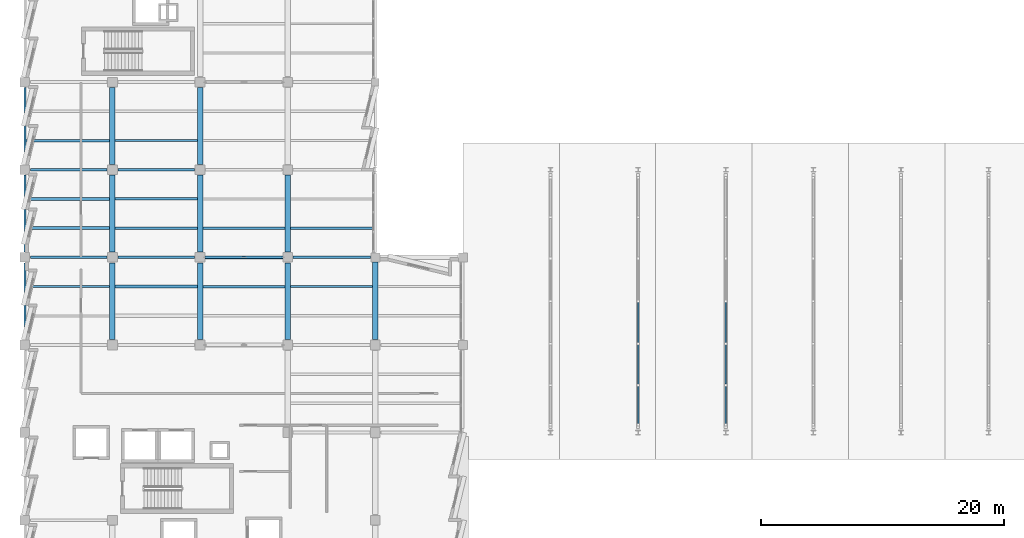
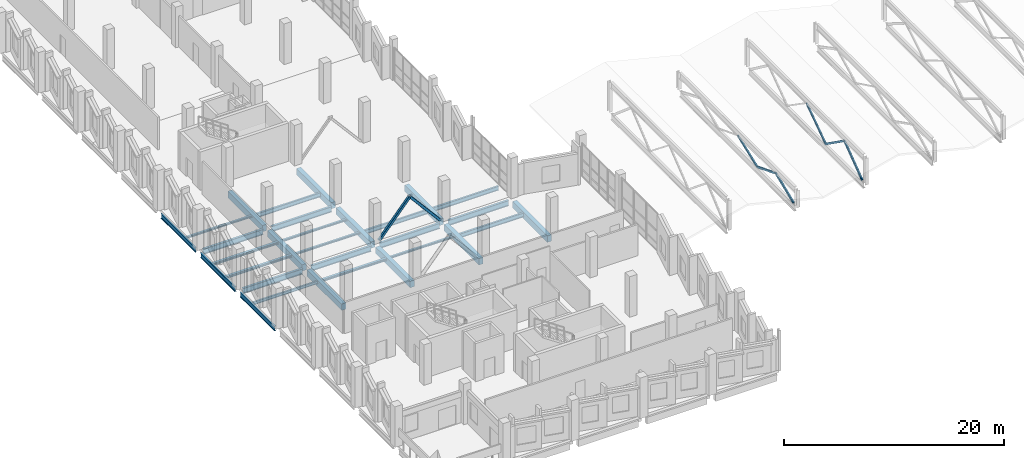
# One storey, part 27 of 123: 30 beams, 8 members.
"""IFC4 building model written with IfcOpenShell, lengths in metres."""

from ifc_helpers import new_model, si_unit, direction, frame, origin, origin_2d, place, context, subcontext, project, spatial, rectangle, hollow_rectangle, i_section, extrude, material, material_profile, profile_set, type_object, element, save


model = new_model("IFC4")

# Units and contexts
model_context = context("Model", 3, precision=1e-05, world=origin(), true_north=direction((0.0, 1.0)))
body_context = subcontext(model_context, "Body", "Model", "MODEL_VIEW")
ifc_project = project(units=[si_unit("LENGTHUNIT", "METRE"), si_unit("AREAUNIT", "SQUARE_METRE"), si_unit("VOLUMEUNIT", "CUBIC_METRE"), si_unit("PLANEANGLEUNIT", "RADIAN"), si_unit("MASSUNIT", "GRAM", prefix="KILO")], contexts=[model_context])

# Site, building, storey
site_placement = place(None, origin())
site = spatial("IfcSite", under=ifc_project, at=site_placement, CompositionType="ELEMENT")
building_placement = place(site_placement, origin())
building = spatial("IfcBuilding", under=site, at=building_placement, Name="Kalmorath City Hall", CompositionType="ELEMENT")
storey_placement = place(building_placement, frame((0.0, 0.0, 10.199951171875)))
storey = spatial("IfcBuildingStorey", under=building, at=storey_placement, Name="L02", CompositionType="ELEMENT", Elevation=10.199951171875)

# Beams
ifc_material_1 = material(Name="Concrete C40/50", Category="concrete")
ifc_material_profile_1 = material_profile(ifc_material_1, rectangle(XDim=0.449951171875, YDim=0.699951171875, at=origin_2d()), Name="RC-BM-450X700")
ifc_profile_set_1 = profile_set([ifc_material_profile_1], Name="Concrete C40/50")
beam_type_1 = type_object("IfcBeamType", Name="Concrete floor beam 450x700", PredefinedType="BEAM", material=ifc_profile_set_1)
for number, where, z_axis, x_axis, name in (
    (1, (7.199951171875, 29.25, -0.634033203125), (0.0, 1.0, 0.0), (-1.0, 0.0, 0.0), "L02 girder CB4 Y2/5-6"),
    (2, (7.199951171875, 36.449951171875, -0.634033203125), (0.0, 1.0, 0.0), (-1.0, 0.0, 0.0), "L02 girder CB4 Y2/6-7"),
    (3, (7.199951171875, 43.64990234375, -0.634033203125), (0.0, 1.0, 0.0), (-1.0, 0.0, 0.0), "L02 girder CB4 Y2/7-8"),
    (4, (14.39990234375, 29.25, -0.634033203125), (0.0, 1.0, 0.0), (-1.0, 0.0, 0.0), "L02 girder CB4 Y3/5-6"),
    (5, (14.39990234375, 36.449951171875, -0.634033203125), (0.0, 1.0, 0.0), (-1.0, 0.0, 0.0), "L02 girder CB4 Y3/6-7"),
    (6, (14.39990234375, 43.64990234375, -0.634033203125), (0.0, 1.0, 0.0), (-1.0, 0.0, 0.0), "L02 girder CB4 Y3/7-8"),
    (7, (21.60009765625, 29.25, -0.634033203125), (0.0, 1.0, 0.0), (-1.0, 0.0, 0.0), "L02 girder CB4 Y4/5-6"),
    (8, (21.60009765625, 36.449951171875, -0.634033203125), (0.0, 1.0, 0.0), (-1.0, 0.0, 0.0), "L02 girder CB4 Y4/6-7"),
):
    element("IfcBeam", number, at=place(storey_placement, frame(where, z_axis=z_axis, x_axis=x_axis)), inside=storey, type_object=beam_type_1, Name=name, PredefinedType="BEAM", context=body_context, shape_type="SweptSolid", body=[
        extrude(rectangle(XDim=0.449951171875, YDim=0.699951171875, at=origin_2d()), origin(), (0.0, 0.0, 1.0), 6.300048828125),
    ])
beam_1_placement = place(storey_placement, frame((28.800048828125, 29.25, -0.634033203125), z_axis=(0.0, 1.0, 0.0), x_axis=(-1.0, 0.0, 0.0)))
element("IfcBeam", 9, at=beam_1_placement, inside=storey, type_object=beam_type_1, Name="L02 girder CB4 Y5/5-6", PredefinedType="BEAM", context=body_context, shape_type="SweptSolid", body=[
    extrude(rectangle(XDim=0.449951171875, YDim=0.699951171875, at=origin_2d()), origin(), (0.0, 0.0, 1.0), 6.35009765625),
])
ifc_material_2 = material(Name="Steel ASTM A992 Grade 50", Category="steel")
ifc_material_profile_2 = material_profile(ifc_material_2, i_section(OverallWidth=0.19091796875, OverallDepth=0.4599609375, WebThickness=0.010009765625, FlangeThickness=0.01611328125, FilletRadius=0.013916015625, at=origin_2d()), Name="W18X55")
ifc_profile_set_2 = profile_set([ifc_material_profile_2], Name="Steel ASTM A992 Grade 50")
beam_type_2 = type_object("IfcBeamType", Name="Steel composite joist W18X55", PredefinedType="JOIST", material=ifc_profile_set_2)
beam_2_placement = place(storey_placement, frame((21.824951171875, 38.39990234375, -0.513916015625), z_axis=(1.0, 0.0, 0.0), x_axis=(0.0, 1.0, 0.0)))
element("IfcBeam", 10, at=beam_2_placement, inside=storey, type_object=beam_type_2, Name="L02 joist SJ2 4.6.1", PredefinedType="JOIST", context=body_context, shape_type="SweptSolid", body=[
    extrude(i_section(OverallWidth=0.19091796875, OverallDepth=0.4599609375, WebThickness=0.010009765625, FlangeThickness=0.01611328125, FilletRadius=0.013916015625, at=origin_2d()), origin(), (0.0, 0.0, 1.0), 6.892578125),
])
ifc_material_3 = material(Name="Steel ASTM A992 Grade 50", Category="steel")
ifc_material_profile_3 = material_profile(ifc_material_3, i_section(OverallWidth=0.193115234375, OverallDepth=0.466064453125, WebThickness=0.011474609375, FlangeThickness=0.01904296875, FilletRadius=0.013916015625, at=origin_2d()), Name="W18X65")
ifc_profile_set_3 = profile_set([ifc_material_profile_3], Name="Steel ASTM A992 Grade 50")
beam_type_3 = type_object("IfcBeamType", Name="Steel composite joist W18X65", PredefinedType="JOIST", material=ifc_profile_set_3)
for number, where, z_axis, x_axis, name in (
    (11, (7.425048828125, 45.60009765625, -0.516845703125), (1.0, 0.0, 0.0), (0.0, 1.0, 0.0), "L02 joist SJ1 2.7.1"),
    (12, (14.625, 38.39990234375, -0.516845703125), (1.0, 0.0, 0.0), (0.0, 1.0, 0.0), "L02 joist SJ1 3.6.1"),
    (13, (21.824951171875, 33.60009765625, -0.516845703125), (1.0, 0.0, 0.0), (0.0, 1.0, 0.0), "L02 joist SJ1 4.5.2"),
):
    element("IfcBeam", number, at=place(storey_placement, frame(where, z_axis=z_axis, x_axis=x_axis)), inside=storey, type_object=beam_type_3, Name=name, PredefinedType="JOIST", context=body_context, shape_type="SweptSolid", body=[
        extrude(i_section(OverallWidth=0.193115234375, OverallDepth=0.466064453125, WebThickness=0.011474609375, FlangeThickness=0.01904296875, FilletRadius=0.013916015625, at=origin_2d()), origin(), (0.0, 0.0, 1.0), 6.75),
    ])
ifc_material_4 = material(Name="Steel ASTM A992 Grade 50", Category="steel")
ifc_material_profile_4 = material_profile(ifc_material_4, i_section(OverallWidth=0.202880859375, OverallDepth=0.202880859375, WebThickness=0.007080078125, FlangeThickness=0.010986328125, FilletRadius=0.010986328125, at=origin_2d()), Name="W8X31")
ifc_profile_set_4 = profile_set([ifc_material_profile_4], Name="Steel ASTM A992 Grade 50")
beam_type_4 = type_object("IfcBeamType", Name="Steel edge trimmer W8X31", PredefinedType="LINTEL", material=ifc_profile_set_4)
beam_3_placement = place(storey_placement, frame((0.08251953125, 45.60009765625, -0.385498046875), z_axis=(1.0, 0.0, 0.0), x_axis=(0.0, 1.0, 0.0)))
element("IfcBeam", 14, at=beam_3_placement, inside=storey, type_object=beam_type_4, Name="L02 joist SJ16 1.7.1", PredefinedType="LINTEL", context=body_context, shape_type="SweptSolid", body=[
    extrude(i_section(OverallWidth=0.202880859375, OverallDepth=0.202880859375, WebThickness=0.007080078125, FlangeThickness=0.010986328125, FilletRadius=0.010986328125, at=origin_2d()), origin(), (0.0, 0.0, 1.0), 6.892578125),
])
for number, where, z_axis, x_axis, name in (
    (15, (7.425048828125, 38.39990234375, -0.385498046875), (1.0, 0.0, 0.0), (0.0, 1.0, 0.0), "L02 joist SJ16 2.6.1"),
    (16, (7.425048828125, 40.800048828125, -0.385498046875), (1.0, 0.0, 0.0), (0.0, 1.0, 0.0), "L02 joist SJ16 2.6.2"),
    (17, (14.625, 33.60009765625, -0.385498046875), (1.0, 0.0, 0.0), (0.0, 1.0, 0.0), "L02 joist SJ16 3.5.2"),
):
    element("IfcBeam", number, at=place(storey_placement, frame(where, z_axis=z_axis, x_axis=x_axis)), inside=storey, type_object=beam_type_4, Name=name, PredefinedType="LINTEL", context=body_context, shape_type="SweptSolid", body=[
        extrude(i_section(OverallWidth=0.202880859375, OverallDepth=0.202880859375, WebThickness=0.007080078125, FlangeThickness=0.010986328125, FilletRadius=0.010986328125, at=origin_2d()), origin(), (0.0, 0.0, 1.0), 6.75),
    ])
ifc_material_5 = material(Name="Steel ASTM A992 Grade 50", Category="steel")
ifc_material_profile_5 = material_profile(ifc_material_5, i_section(OverallWidth=0.22900390625, OverallDepth=0.612060546875, WebThickness=0.011962890625, FlangeThickness=0.01953125, FilletRadius=0.01611328125, at=origin_2d()), Name="W24X84")
ifc_profile_set_5 = profile_set([ifc_material_profile_5], Name="Steel ASTM A992 Grade 50")
beam_type_5 = type_object("IfcBeamType", Name="Steel floor girder W24X84", PredefinedType="BEAM", material=ifc_profile_set_5)
for number, where, z_axis, x_axis, name in (
    (18, (0.449951171875, 36.0, -0.58984375), (1.0, 0.0, 0.0), (0.0, 1.0, 0.0), "L02 girder SG8 X1-2/6"),
    (19, (7.64990234375, 36.0, -0.58984375), (1.0, 0.0, 0.0), (0.0, 1.0, 0.0), "L02 girder SG8 X2-3/6"),
):
    element("IfcBeam", number, at=place(storey_placement, frame(where, z_axis=z_axis, x_axis=x_axis)), inside=storey, type_object=beam_type_5, Name=name, PredefinedType="BEAM", context=body_context, shape_type="SweptSolid", body=[
        extrude(i_section(OverallWidth=0.22900390625, OverallDepth=0.612060546875, WebThickness=0.011962890625, FlangeThickness=0.01953125, FilletRadius=0.01611328125, at=origin_2d()), origin(), (0.0, 0.0, 1.0), 6.300048828125),
    ])
beam_4_placement = place(storey_placement, frame((14.85009765625, 36.0, -0.58984375), z_axis=(1.0, 0.0, 0.0), x_axis=(0.0, 1.0, 0.0)))
element("IfcBeam", 20, at=beam_4_placement, inside=storey, type_object=beam_type_5, Name="L02 girder SG8 X3-4/6", PredefinedType="BEAM", context=body_context, shape_type="SweptSolid", body=[
    extrude(i_section(OverallWidth=0.22900390625, OverallDepth=0.612060546875, WebThickness=0.011962890625, FlangeThickness=0.01953125, FilletRadius=0.01611328125, at=origin_2d()), origin(), (0.0, 0.0, 1.0), 6.2998046875),
])
beam_5_placement = place(storey_placement, frame((22.050048828125, 36.0, -0.58984375), z_axis=(1.0, 0.0, 0.0), x_axis=(0.0, 1.0, 0.0)))
element("IfcBeam", 21, at=beam_5_placement, inside=storey, type_object=beam_type_5, Name="L02 girder SG8 X4-5/6", PredefinedType="BEAM", context=body_context, shape_type="SweptSolid", body=[
    extrude(i_section(OverallWidth=0.22900390625, OverallDepth=0.612060546875, WebThickness=0.011962890625, FlangeThickness=0.01953125, FilletRadius=0.01611328125, at=origin_2d()), origin(), (0.0, 0.0, 1.0), 6.349853515625),
])
for number, where, z_axis, x_axis, name in (
    (22, (0.449951171875, 43.199951171875, -0.58984375), (1.0, 0.0, 0.0), (0.0, 1.0, 0.0), "L02 girder SG8 X1-2/7"),
    (23, (7.64990234375, 43.199951171875, -0.58984375), (1.0, 0.0, 0.0), (0.0, 1.0, 0.0), "L02 girder SG8 X2-3/7"),
):
    element("IfcBeam", number, at=place(storey_placement, frame(where, z_axis=z_axis, x_axis=x_axis)), inside=storey, type_object=beam_type_5, Name=name, PredefinedType="BEAM", context=body_context, shape_type="SweptSolid", body=[
        extrude(i_section(OverallWidth=0.22900390625, OverallDepth=0.612060546875, WebThickness=0.011962890625, FlangeThickness=0.01953125, FilletRadius=0.01611328125, at=origin_2d()), origin(), (0.0, 0.0, 1.0), 6.300048828125),
    ])
ifc_material_6 = material(Name="Steel ASTM A992 Grade 50", Category="steel")
ifc_material_profile_6 = material_profile(ifc_material_6, i_section(OverallWidth=0.1669921875, OverallDepth=0.318115234375, WebThickness=0.007568359375, FlangeThickness=0.01318359375, FilletRadius=0.012939453125, at=origin_2d()), Name="W12X35")
ifc_profile_set_6 = profile_set([ifc_material_profile_6], Name="Steel ASTM A992 Grade 50")
beam_type_6 = type_object("IfcBeamType", Name="Steel header lintel W12X35", PredefinedType="LINTEL", material=ifc_profile_set_6)
beam_6_placement = place(storey_placement, frame((0.08251953125, 33.60009765625, -0.44287109375), z_axis=(1.0, 0.0, 0.0), x_axis=(0.0, 1.0, 0.0)))
element("IfcBeam", 24, at=beam_6_placement, inside=storey, type_object=beam_type_6, Name="L02 joist SJ13 1.5.2", PredefinedType="LINTEL", context=body_context, shape_type="SweptSolid", body=[
    extrude(i_section(OverallWidth=0.1669921875, OverallDepth=0.318115234375, WebThickness=0.007568359375, FlangeThickness=0.01318359375, FilletRadius=0.012939453125, at=origin_2d()), origin(), (0.0, 0.0, 1.0), 6.892578125),
])

# Members
ifc_material_7 = material(Name="Steel ASTM A500 Grade C", Category="steel")
ifc_material_profile_7 = material_profile(ifc_material_7, hollow_rectangle(XDim=0.25390625, YDim=0.25390625, WallThickness=0.01171875, InnerFilletRadius=0.01171875, OuterFilletRadius=0.023681640625, at=origin_2d()), Name="HSS254X254X12.7")
ifc_profile_set_7 = profile_set([ifc_material_profile_7], Name="Steel ASTM A500 Grade C")
member_type_1 = type_object("IfcMemberType", Name="Steel seismic chevron brace HSS254X254X12.7", PredefinedType="BRACE", material=ifc_profile_set_7)
for number, where, z_axis, x_axis, name in (
    (25, (14.800048828125, 36.0, 0.0), (0.650117130279, 0.0, 0.75983400616), (0.0, 1.0, 0.0), "L02 chevron brace BR1 2A"),
    (26, (21.199951171875, 36.0, 0.0), (-0.650117130279, 0.0, 0.75983400616), (0.0, -1.0, 0.0), "L02 chevron brace BR1 2B"),
):
    element("IfcMember", number, at=place(storey_placement, frame(where, z_axis=z_axis, x_axis=x_axis)), inside=storey, type_object=member_type_1, Name=name, PredefinedType="BRACE", context=body_context, shape_type="SweptSolid", body=[
        extrude(hollow_rectangle(XDim=0.25390625, YDim=0.25390625, WallThickness=0.01171875, InnerFilletRadius=0.01171875, OuterFilletRadius=0.023681640625, at=origin_2d()), origin(), (0.0, 0.0, 1.0), 4.922119140625),
    ])

# Beams
ifc_material_8 = material(Name="Steel ASTM A992 Grade 50", Category="steel")
ifc_material_profile_8 = material_profile(ifc_material_8, i_section(OverallWidth=0.1650390625, OverallDepth=0.52490234375, WebThickness=0.0087890625, FlangeThickness=0.011474609375, FilletRadius=0.014892578125, at=origin_2d()), Name="W21X44")
ifc_profile_set_8 = profile_set([ifc_material_profile_8], Name="Steel ASTM A992 Grade 50")
beam_type_7 = type_object("IfcBeamType", Name="Steel spandrel beam W21X44", PredefinedType="SPANDREL", material=ifc_profile_set_8)
for number, where, z_axis, x_axis, name in (
    (27, (0.0, 29.25, -0.54638671875), (0.0, 1.0, 0.0), (-1.0, 0.0, 0.0), "L02 girder SB4 Y1/5-6"),
    (28, (0.0, 36.449951171875, -0.54638671875), (0.0, 1.0, 0.0), (-1.0, 0.0, 0.0), "L02 girder SB4 Y1/6-7"),
    (29, (0.0, 43.64990234375, -0.54638671875), (0.0, 1.0, 0.0), (-1.0, 0.0, 0.0), "L02 girder SB4 Y1/7-8"),
):
    element("IfcBeam", number, at=place(storey_placement, frame(where, z_axis=z_axis, x_axis=x_axis)), inside=storey, type_object=beam_type_7, Name=name, PredefinedType="SPANDREL", context=body_context, shape_type="SweptSolid", body=[
        extrude(i_section(OverallWidth=0.1650390625, OverallDepth=0.52490234375, WebThickness=0.0087890625, FlangeThickness=0.011474609375, FilletRadius=0.014892578125, at=origin_2d()), origin(), (0.0, 0.0, 1.0), 6.300048828125),
    ])
ifc_material_9 = material(Name="Steel ASTM A992 Grade 50", Category="steel")
ifc_material_profile_9 = material_profile(ifc_material_9, i_section(OverallWidth=0.25390625, OverallDepth=0.2529296875, WebThickness=0.008544921875, FlangeThickness=0.01416015625, FilletRadius=0.011962890625, at=origin_2d()), Name="W10X49")
ifc_profile_set_9 = profile_set([ifc_material_profile_9], Name="Steel ASTM A992 Grade 50")
beam_type_8 = type_object("IfcBeamType", Name="Steel trimmer beam W10X49", PredefinedType="BEAM", material=ifc_profile_set_9)
for number, where, z_axis, x_axis, name in (
    (30, (0.08251953125, 38.39990234375, -0.410400390625), (1.0, 0.0, 0.0), (0.0, 1.0, 0.0), "L02 joist SJ14 1.6.1"),
    (31, (0.08251953125, 40.800048828125, -0.410400390625), (1.0, 0.0, 0.0), (0.0, 1.0, 0.0), "L02 joist SJ14 1.6.2"),
):
    element("IfcBeam", number, at=place(storey_placement, frame(where, z_axis=z_axis, x_axis=x_axis)), inside=storey, type_object=beam_type_8, Name=name, PredefinedType="BEAM", context=body_context, shape_type="SweptSolid", body=[
        extrude(i_section(OverallWidth=0.25390625, OverallDepth=0.2529296875, WebThickness=0.008544921875, FlangeThickness=0.01416015625, FilletRadius=0.011962890625, at=origin_2d()), origin(), (0.0, 0.0, 1.0), 6.892578125),
    ])
beam_7_placement = place(storey_placement, frame((7.425048828125, 33.60009765625, -0.410400390625), z_axis=(1.0, 0.0, 0.0), x_axis=(0.0, 1.0, 0.0)))
element("IfcBeam", 32, at=beam_7_placement, inside=storey, type_object=beam_type_8, Name="L02 joist SJ14 2.5.2", PredefinedType="BEAM", context=body_context, shape_type="SweptSolid", body=[
    extrude(i_section(OverallWidth=0.25390625, OverallDepth=0.2529296875, WebThickness=0.008544921875, FlangeThickness=0.01416015625, FilletRadius=0.011962890625, at=origin_2d()), origin(), (0.0, 0.0, 1.0), 6.75),
])

# Members
ifc_material_10 = material(Name="Steel ASTM A500 Grade C", Category="steel")
ifc_material_profile_10 = material_profile(ifc_material_10, hollow_rectangle(XDim=0.152099609375, YDim=0.25390625, WallThickness=0.0087890625, InnerFilletRadius=0.0087890625, OuterFilletRadius=0.017822265625, at=origin_2d()), Name="HSS254X152X9.5")
ifc_profile_set_10 = profile_set([ifc_material_profile_10], Name="Steel ASTM A500 Grade C")
member_type_2 = type_object("IfcMemberType", Name="Steel truss web chord HSS254X152X9.5", PredefinedType="CHORD", material=ifc_profile_set_10)
member_1_placement = place(storey_placement, frame((50.39990234375, 22.25, -0.008056640625), z_axis=(0.0, 0.924394532678, 0.381437737981), x_axis=(-1.0, 0.0, 0.0)))
element("IfcMember", 33, at=member_1_placement, inside=storey, type_object=member_type_2, Name="Public Hall truss web CH1-2.1", PredefinedType="CHORD", context=body_context, shape_type="SweptSolid", body=[
    extrude(hollow_rectangle(XDim=0.152099609375, YDim=0.25390625, WallThickness=0.0087890625, InnerFilletRadius=0.0087890625, OuterFilletRadius=0.017822265625, at=origin_2d()), origin(), (0.0, 0.0, 1.0), 3.515869140625),
])
member_2_placement = place(storey_placement, frame((57.60009765625, 22.25, -0.008056640625), z_axis=(0.0, 0.801933192213, 0.597413721994), x_axis=(-1.0, 0.0, 0.0)))
element("IfcMember", 34, at=member_2_placement, inside=storey, type_object=member_type_2, Name="Public Hall truss web CH1-3.1", PredefinedType="CHORD", context=body_context, shape_type="SweptSolid", body=[
    extrude(hollow_rectangle(XDim=0.152099609375, YDim=0.25390625, WallThickness=0.0087890625, InnerFilletRadius=0.0087890625, OuterFilletRadius=0.017822265625, at=origin_2d()), origin(), (0.0, 0.0, 1.0), 4.052734375),
])
ifc_material_11 = material(Name="Steel ASTM A500 Grade C", Category="steel")
ifc_material_profile_11 = material_profile(ifc_material_11, hollow_rectangle(XDim=0.152099609375, YDim=0.202880859375, WallThickness=0.0087890625, InnerFilletRadius=0.0087890625, OuterFilletRadius=0.017822265625, at=origin_2d()), Name="HSS203X152X9.5")
ifc_profile_set_11 = profile_set([ifc_material_profile_11], Name="Steel ASTM A500 Grade C")
member_type_3 = type_object("IfcMemberType", Name="Steel truss web diagonal HSS203X152X9.5", PredefinedType="CHORD", material=ifc_profile_set_11)
member_3_placement = place(storey_placement, frame((50.39990234375, 25.5, 1.3330078125), z_axis=(0.0, 0.930248846352, -0.366929262747), x_axis=(-1.0, 0.0, 0.0)))
element("IfcMember", 35, at=member_3_placement, inside=storey, type_object=member_type_3, Name="Public Hall truss web CH2-2.2", PredefinedType="CHORD", context=body_context, shape_type="SweptSolid", body=[
    extrude(hollow_rectangle(XDim=0.152099609375, YDim=0.202880859375, WallThickness=0.0087890625, InnerFilletRadius=0.0087890625, OuterFilletRadius=0.017822265625, at=origin_2d()), origin(), (0.0, 0.0, 1.0), 3.65478515625),
])
member_4_placement = place(storey_placement, frame((50.39990234375, 28.89990234375, -0.008056640625), z_axis=(0.0, 0.93379980632, 0.357795921883), x_axis=(-1.0, 0.0, 0.0)))
element("IfcMember", 36, at=member_4_placement, inside=storey, type_object=member_type_3, Name="Public Hall truss web CH2-2.3", PredefinedType="CHORD", context=body_context, shape_type="SweptSolid", body=[
    extrude(hollow_rectangle(XDim=0.152099609375, YDim=0.202880859375, WallThickness=0.0087890625, InnerFilletRadius=0.0087890625, OuterFilletRadius=0.017822265625, at=origin_2d()), origin(), (0.0, 0.0, 1.0), 3.748046875),
])
member_5_placement = place(storey_placement, frame((57.60009765625, 25.5, 2.4130859375), z_axis=(0.0, 0.814566547041, -0.580070116832), x_axis=(-1.0, 0.0, 0.0)))
element("IfcMember", 37, at=member_5_placement, inside=storey, type_object=member_type_3, Name="Public Hall truss web CH2-3.2", PredefinedType="CHORD", context=body_context, shape_type="SweptSolid", body=[
    extrude(hollow_rectangle(XDim=0.152099609375, YDim=0.202880859375, WallThickness=0.0087890625, InnerFilletRadius=0.0087890625, OuterFilletRadius=0.017822265625, at=origin_2d()), origin(), (0.0, 0.0, 1.0), 4.173828125),
])
member_6_placement = place(storey_placement, frame((57.60009765625, 28.89990234375, -0.008056640625), z_axis=(0.0, 0.82240484888, 0.568902684594), x_axis=(-1.0, 0.0, 0.0)))
element("IfcMember", 38, at=member_6_placement, inside=storey, type_object=member_type_3, Name="Public Hall truss web CH2-3.3", PredefinedType="CHORD", context=body_context, shape_type="SweptSolid", body=[
    extrude(hollow_rectangle(XDim=0.152099609375, YDim=0.202880859375, WallThickness=0.0087890625, InnerFilletRadius=0.0087890625, OuterFilletRadius=0.017822265625, at=origin_2d()), origin(), (0.0, 0.0, 1.0), 4.255859375),
])

save(model, "model.ifc")
